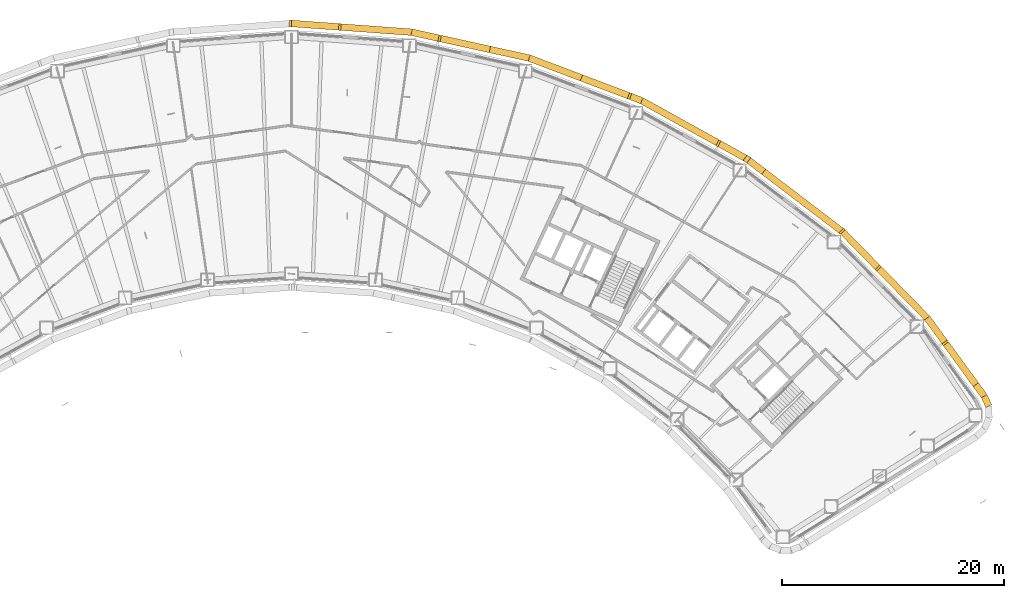
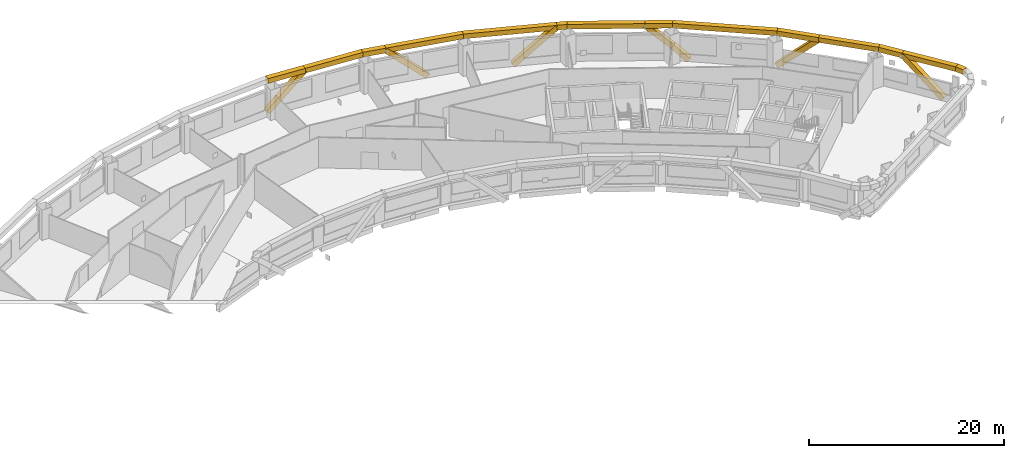
# One storey, part 18 of 19: 21 coverings.
"""IFC4 building model written with IfcOpenShell, lengths in metres."""

import ifcopenshell
import ifcopenshell.guid

model = None  # the IFC model being written
_history = None  # IfcOwnerHistory: only IFC2X3 demands one
_inside = {}  # id of a spatial element -> (the spatial element, [elements in it])
_under = {}  # id of a project, library or spatial element -> (it, [spatial elements below it])
_declared = {}  # id of a project -> (the project, [libraries it declares])
_typed = {}  # id of a type object -> (the type object, [elements of that type])
_made_of = {}  # id of a material, layer set ... -> (it, [elements and type objects made of it])


def new_model(schema):
    """Start an empty IFC model of exactly this schema.

    Asked for "IFC4X3", IfcOpenShell would pick the latest addendum, in which some entities
    have other attributes; the version numbers below select the first issue.
    IFC2X3 requires an IfcOwnerHistory on every rooted entity: one is made here for all.
    """
    global model, _history
    if schema == "IFC4X3":
        model = ifcopenshell.file(schema_version=(4, 3, 0, 0))
    else:
        model = ifcopenshell.file(schema=schema)
    _inside.clear()
    _under.clear()
    _declared.clear()
    _typed.clear()
    _made_of.clear()
    _history = None
    if model.schema == "IFC2X3":
        org = make("IfcOrganization", Name="unknown")
        user = make(
            "IfcPersonAndOrganization",
            ThePerson=make("IfcPerson", FamilyName="unknown"),
            TheOrganization=org,
        )
        app = make(
            "IfcApplication",
            ApplicationDeveloper=org,
            Version="unknown",
            ApplicationFullName="unknown",
            ApplicationIdentifier="unknown",
        )
        _history = make(
            "IfcOwnerHistory",
            OwningUser=user,
            OwningApplication=app,
            ChangeAction="ADDED",
            CreationDate=0,
        )
    return model


def make(cls, **values):
    """One entity of the class cls with the attributes given. An attribute that is None is left unset."""
    return model.create_entity(
        cls, **{name: value for name, value in values.items() if value is not None}
    )


def rooted(cls, **values):
    """An entity with a GlobalId (a new one), such as an element, a storey or a relation."""
    return make(cls, GlobalId=ifcopenshell.guid.new(), OwnerHistory=_history, **values)


def si_unit(unit_type, name, prefix=None):
    """IfcSIUnit, for example si_unit("LENGTHUNIT", "METRE", prefix="MILLI")."""
    return make("IfcSIUnit", UnitType=unit_type, Prefix=prefix, Name=name)


def assignment(units):
    """IfcUnitAssignment: the units of a project."""
    return None if units is None else make("IfcUnitAssignment", Units=units)


def point(xyz):
    """IfcCartesianPoint."""
    return None if xyz is None else make("IfcCartesianPoint", Coordinates=xyz)


def direction(xyz):
    """IfcDirection."""
    return None if xyz is None else make("IfcDirection", DirectionRatios=xyz)


def frame(location, z_axis=None, x_axis=None):
    """IfcAxis2Placement3D, a coordinate frame: its origin and axes. An axis left out is left unset."""
    return make(
        "IfcAxis2Placement3D",
        Location=point(location),
        Axis=direction(z_axis),
        RefDirection=direction(x_axis),
    )


def frame_2d(location, x_axis=None):
    """IfcAxis2Placement2D, a coordinate frame in the plane: its origin and x axis."""
    return make(
        "IfcAxis2Placement2D", Location=point(location), RefDirection=direction(x_axis)
    )


def origin():
    """The frame at (0, 0, 0) with its axes left unset."""
    return frame((0.0, 0.0, 0.0))


def origin_2d():
    """The frame at (0, 0) in the plane with its x axis left unset."""
    return frame_2d((0.0, 0.0))


def place(relative_to, where):
    """IfcLocalPlacement: puts the frame where relative to a parent placement (None: the world)."""
    return make(
        "IfcLocalPlacement", PlacementRelTo=relative_to, RelativePlacement=where
    )


def context(
    kind, dimensions, precision=None, world=None, true_north=None, identifier=None
):
    """IfcGeometricRepresentationContext, for example the 3D "Model" context."""
    return make(
        "IfcGeometricRepresentationContext",
        ContextIdentifier=identifier,
        ContextType=kind,
        CoordinateSpaceDimension=dimensions,
        Precision=precision,
        WorldCoordinateSystem=world,
        TrueNorth=true_north,
    )


def subcontext(parent, identifier, kind, view, scale=None):
    """IfcGeometricRepresentationSubContext, for example "Body" below "Model"."""
    return make(
        "IfcGeometricRepresentationSubContext",
        ContextIdentifier=identifier,
        ContextType=kind,
        ParentContext=parent,
        TargetScale=scale,
        TargetView=view,
    )


def project(units=None, contexts=None):
    """IfcProject with its units and contexts."""
    return rooted(
        "IfcProject",
        Name="project",
        RepresentationContexts=contexts,
        UnitsInContext=assignment(units),
    )


def spatial(cls, under=None, at=None, **own):
    """A site, building, storey or space (cls), placed at a placement, below another one or the project."""
    s = rooted(cls, ObjectPlacement=at, **own)
    if under is not None:
        _under.setdefault(under.id(), (under, []))[1].append(s)
    return s


def profile(cls, at=None, kind="AREA", **sizes):
    """A parametric profile (cls). Its sizes go by their IFC names, for example OverallWidth=200.0."""
    return make(cls, ProfileType=kind, Position=at, **sizes)


def rectangle(**sizes):
    """IfcRectangleProfileDef."""
    return profile("IfcRectangleProfileDef", **sizes)


def extrude(swept, where, along, depth):
    """IfcExtrudedAreaSolid: the profile swept, set in the frame where, extruded along a direction by depth."""
    return make(
        "IfcExtrudedAreaSolid",
        SweptArea=swept,
        Position=where,
        ExtrudedDirection=direction(along),
        Depth=depth,
    )


def shape(context_of_items, identifier, shape_type, items):
    """IfcShapeRepresentation: the items that make up one representation, for example the "Body"."""
    return make(
        "IfcShapeRepresentation",
        ContextOfItems=context_of_items,
        RepresentationIdentifier=identifier,
        RepresentationType=shape_type,
        Items=items,
    )


def material(Name=None, Category=None):
    """IfcMaterial."""
    return make("IfcMaterial", Name=Name, Category=Category)


def material_profile(
    of_material, cross_section, Name=None, Category=None, Priority=None
):
    """IfcMaterialProfile: a cross section and its material."""
    return make(
        "IfcMaterialProfile",
        Name=Name,
        Material=of_material,
        Profile=cross_section,
        Priority=Priority,
        Category=Category,
    )


def profile_set(profiles, Name=None, composite=None):
    """IfcMaterialProfileSet."""
    return make(
        "IfcMaterialProfileSet",
        Name=Name,
        MaterialProfiles=profiles,
        CompositeProfile=composite,
    )


def made_of(thing, what):
    """Note that an element or type object is made of a material, layer set ...; save() writes the relation."""
    if what is not None:
        _made_of.setdefault(what.id(), (what, []))[1].append(thing)
    return thing


def type_object(cls, material=None, **own):
    """A type object (cls), such as IfcWallType, which elements share."""
    return made_of(rooted(cls, **own), material)


def element(
    cls,
    number,
    at=None,
    inside=None,
    cuts=None,
    type_object=None,
    material=None,
    context=None,
    identifier="Body",
    shape_type=None,
    held_by="IfcProductDefinitionShape",
    body=None,
    shapes=None,
    **own,
):
    """One element of the class cls, such as IfcWall. Its Tag is "e" and its number.

    at: its placement. inside: the storey or other place that contains it. cuts: it is an
    opening in that element (IfcRelVoidsElement). A single representation is given by context,
    identifier, shape_type and body (its items); several are given by shapes. held_by: the class
    of the entity that holds the representations. save() writes the other relations.
    """
    e = rooted(cls, Tag="e%d" % number, ObjectPlacement=at, **own)
    if body is not None:
        shapes = [shape(context, identifier, shape_type, body)]
    if shapes is not None:
        e.Representation = make(held_by, Representations=shapes)
    if inside is not None:
        _inside.setdefault(inside.id(), (inside, []))[1].append(e)
    if cuts is not None:
        rooted(
            "IfcRelVoidsElement", RelatingBuildingElement=cuts, RelatedOpeningElement=e
        )
    if type_object is not None:
        _typed.setdefault(type_object.id(), (type_object, []))[1].append(e)
    return made_of(e, material)


def aggregate(whole, parts):
    """IfcRelAggregates: a whole, such as a stair, and the parts it consists of."""
    return rooted("IfcRelAggregates", RelatingObject=whole, RelatedObjects=parts)


def save(model, path):
    """Write the relations noted so far, then the file.

    IfcRelAggregates (storeys below a building ...), IfcRelContainedInSpatialStructure (elements
    in a storey), IfcRelDefinesByType, IfcRelAssociatesMaterial and IfcRelDeclares: one each for
    every whole, place, type object, material and project.
    """
    for whole, parts in _under.values():
        aggregate(whole, parts)
    for where, things in _inside.values():
        rooted(
            "IfcRelContainedInSpatialStructure",
            RelatedElements=things,
            RelatingStructure=where,
        )
    for kind, things in _typed.values():
        rooted("IfcRelDefinesByType", RelatedObjects=things, RelatingType=kind)
    for what, things in _made_of.values():
        rooted("IfcRelAssociatesMaterial", RelatedObjects=things, RelatingMaterial=what)
    for by, libraries in _declared.values():
        rooted("IfcRelDeclares", RelatingContext=by, RelatedDefinitions=libraries)
    model.write(path)


model = new_model("IFC4")

# Units and contexts
model_context = context("Model", 3, precision=1e-05, world=origin(), true_north=direction((0.0, 1.0)))
body_context = subcontext(model_context, "Body", "Model", "MODEL_VIEW")
ifc_project = project(units=[si_unit("LENGTHUNIT", "METRE"), si_unit("AREAUNIT", "SQUARE_METRE"), si_unit("VOLUMEUNIT", "CUBIC_METRE"), si_unit("PLANEANGLEUNIT", "RADIAN"), si_unit("MASSUNIT", "GRAM", prefix="KILO")], contexts=[model_context])

# Site, building, storey
site_placement = place(None, origin())
site = spatial("IfcSite", under=ifc_project, at=site_placement, CompositionType="ELEMENT")
building_placement = place(site_placement, origin())
building = spatial("IfcBuilding", under=site, at=building_placement, Name="Tuul Gate Civic Tower", CompositionType="ELEMENT")
storey_placement = place(building_placement, frame((0.0, 0.0, 90.60009765625)))
storey = spatial("IfcBuildingStorey", under=building, at=storey_placement, Name="Level 20", CompositionType="ELEMENT", Elevation=90.60009765625)

# Coverings
ifc_material = material(Name="Terracotta baguette", Category="masonry")
ifc_material_profile = material_profile(ifc_material, rectangle(XDim=0.60009765625, YDim=0.60009765625, at=origin_2d()), Name="Terracotta baguette screen frame")
ifc_profile_set = profile_set([ifc_material_profile], Name="Terracotta baguette")
covering_type = type_object("IfcCoveringType", Name="Terracotta baguette screen frame", PredefinedType="CLADDING", material=ifc_profile_set)
covering_1_placement = place(storey_placement, frame((66.368408203125, -12.477783203125, -0.35009765625), z_axis=(-0.43381273789, 0.593947335463, 0.677519793911), x_axis=(-0.807537279361, -0.589816532866, 0.0)))
element("IfcCovering", 1, at=covering_1_placement, inside=storey, type_object=covering_type, Name="Baguette 20", PredefinedType="CLADDING", context=body_context, shape_type="SweptSolid", body=[
    extrude(rectangle(XDim=0.60009765625, YDim=0.60009765625, at=origin_2d()), origin(), (0.0, 0.0, 1.0), 6.198974609375),
])
covering_2_placement = place(storey_placement, frame((63.67919921875, -8.7958984375, 3.849853515625), z_axis=(-0.589870466204, 0.80749788427, 0.0), x_axis=(-0.80749788427, -0.589870466204, 0.0)))
element("IfcCovering", 2, at=covering_2_placement, inside=storey, type_object=covering_type, Name="Baguette 25", PredefinedType="CLADDING", context=body_context, shape_type="SweptSolid", body=[
    extrude(rectangle(XDim=0.60009765625, YDim=0.60009765625, at=origin_2d()), origin(), (0.0, 0.0, 1.0), 2.68115234375),
])
covering_3_placement = place(storey_placement, frame((62.09765625, -6.630859375, 3.849853515625), z_axis=(-0.700019961155, 0.714123276462, 0.0), x_axis=(-0.714123276462, -0.700019961155, 0.0)))
element("IfcCovering", 3, at=covering_3_placement, inside=storey, type_object=covering_type, Name="Baguette 26", PredefinedType="CLADDING", context=body_context, shape_type="SweptSolid", body=[
    extrude(rectangle(XDim=0.60009765625, YDim=0.60009765625, at=origin_2d()), origin(), (0.0, 0.0, 1.0), 6.405029296875),
])
covering_4_placement = place(storey_placement, frame((57.614013671875, -2.056884765625, 3.849853515625), z_axis=(-0.513669566471, 0.523984863696, -0.679399322268), x_axis=(-0.714100828426, -0.700042860718, 0.0)))
element("IfcCovering", 4, at=covering_4_placement, inside=storey, type_object=covering_type, Name="Baguette 29", PredefinedType="CLADDING", context=body_context, shape_type="SweptSolid", body=[
    extrude(rectangle(XDim=0.60009765625, YDim=0.60009765625, at=origin_2d()), origin(), (0.0, 0.0, 1.0), 6.05908203125),
])
covering_5_placement = place(storey_placement, frame((47.211669921875, 6.668701171875, -0.35009765625), z_axis=(-0.583807946983, 0.44451304704, 0.679394165452), x_axis=(-0.605790532559, -0.795624176771, 0.0)))
element("IfcCovering", 5, at=covering_5_placement, inside=storey, type_object=covering_type, Name="Baguette 43", PredefinedType="CLADDING", context=body_context, shape_type="SweptSolid", body=[
    extrude(rectangle(XDim=0.60009765625, YDim=0.60009765625, at=origin_2d()), origin(), (0.0, 0.0, 1.0), 2.30126953125),
])
covering_6_placement = place(storey_placement, frame((45.8681640625, 7.691650390625, 1.21337890625), z_axis=(-0.641765503901, 0.355767466382, 0.67938689115), x_axis=(-0.484841977451, -0.874601770465, 0.0)))
element("IfcCovering", 6, at=covering_6_placement, inside=storey, type_object=covering_type, Name="Baguette 44", PredefinedType="CLADDING", context=body_context, shape_type="SweptSolid", body=[
    extrude(rectangle(XDim=0.60009765625, YDim=0.60009765625, at=origin_2d()), origin(), (0.0, 0.0, 1.0), 3.880615234375),
])
covering_7_placement = place(storey_placement, frame((43.377685546875, 9.072265625, 3.849853515625), z_axis=(-0.874607295517, 0.484832010731, 0.0), x_axis=(-0.484832010731, -0.874607295517, 0.0)))
element("IfcCovering", 7, at=covering_7_placement, inside=storey, type_object=covering_type, Name="Baguette 49", PredefinedType="CLADDING", context=body_context, shape_type="SweptSolid", body=[
    extrude(rectangle(XDim=0.60009765625, YDim=0.60009765625, at=origin_2d()), origin(), (0.0, 0.0, 1.0), 8.0029296875),
])
covering_8_placement = place(storey_placement, frame((36.378173828125, 12.952392578125, 3.849853515625), z_axis=(-0.935406677507, 0.353573680688, 0.0), x_axis=(-0.353573680688, -0.935406677507, 0.0)))
element("IfcCovering", 8, at=covering_8_placement, inside=storey, type_object=covering_type, Name="Baguette 50", PredefinedType="CLADDING", context=body_context, shape_type="SweptSolid", body=[
    extrude(rectangle(XDim=0.60009765625, YDim=0.60009765625, at=origin_2d()), origin(), (0.0, 0.0, 1.0), 1.069580078125),
])
for number, where, z_axis, x_axis, name in (
    (9, (35.377685546875, 13.33056640625, 3.849853515625), (-0.686313491254, 0.259589053862, -0.679402174591), (-0.353776298619, -0.935330065023, 0.0), "Baguette 52"),
    (10, (22.4912109375, 17.6142578125, -0.35009765625), (-0.716585909211, 0.157929294623, 0.679384259915), (-0.215226248943, -0.976564212823, 0.0), "Baguette 62"),
):
    element("IfcCovering", number, at=place(storey_placement, frame(where, z_axis=z_axis, x_axis=x_axis)), inside=storey, type_object=covering_type, Name=name, PredefinedType="CLADDING", context=body_context, shape_type="SweptSolid", body=[
        extrude(rectangle(XDim=0.60009765625, YDim=0.60009765625, at=origin_2d()), origin(), (0.0, 0.0, 1.0), 6.181884765625),
    ])
covering_9_placement = place(storey_placement, frame((18.061279296875, 18.590576171875, 3.849853515625), z_axis=(-0.976555025342, 0.21526793184, 0.0), x_axis=(-0.21526793184, -0.976555025342, 0.0)))
element("IfcCovering", 11, at=covering_9_placement, inside=storey, type_object=covering_type, Name="Baguette 67", PredefinedType="CLADDING", context=body_context, shape_type="SweptSolid", body=[
    extrude(rectangle(XDim=0.60009765625, YDim=0.60009765625, at=origin_2d()), origin(), (0.0, 0.0, 1.0), 2.48828125),
])
covering_10_placement = place(storey_placement, frame((15.63134765625, 19.126220703125, 3.849853515625), z_axis=(-0.997387816704, 0.07223256253, 0.0), x_axis=(-0.07223256253, -0.997387816704, 0.0)))
element("IfcCovering", 12, at=covering_10_placement, inside=storey, type_object=covering_type, Name="Baguette 68", PredefinedType="CLADDING", context=body_context, shape_type="SweptSolid", body=[
    extrude(rectangle(XDim=0.60009765625, YDim=0.60009765625, at=origin_2d()), origin(), (0.0, 0.0, 1.0), 6.583984375),
])
covering_11_placement = place(storey_placement, frame((9.064453125, 19.601806640625, 3.849853515625), z_axis=(-0.731863102792, 0.05297758608, -0.67938926555), x_axis=(-0.072198379496, -0.99739029171, 0.0)))
element("IfcCovering", 13, at=covering_11_placement, inside=storey, type_object=covering_type, Name="Baguette 71", PredefinedType="CLADDING", context=body_context, shape_type="SweptSolid", body=[
    extrude(rectangle(XDim=0.60009765625, YDim=0.60009765625, at=origin_2d()), origin(), (0.0, 0.0, 1.0), 5.815673828125),
])
covering_12_placement = place(storey_placement, frame((57.614013671875, -2.056884765625, 3.849853515625), z_axis=(-0.700042860718, 0.714100828426, 0.0), x_axis=(-0.714100828426, -0.700042860718, 0.0)))
element("IfcCovering", 14, at=covering_12_placement, inside=storey, type_object=covering_type, Name="Baguette 409", PredefinedType="CLADDING", context=body_context, shape_type="SweptSolid", body=[
    extrude(rectangle(XDim=0.60009765625, YDim=0.60009765625, at=origin_2d()), origin(), (0.0, 0.0, 1.0), 4.44580078125),
])
covering_13_placement = place(storey_placement, frame((54.501708984375, 1.117919921875, 3.849853515625), z_axis=(-0.795618643442, 0.605797799771, 0.0), x_axis=(-0.605797799771, -0.795618643442, 0.0)))
element("IfcCovering", 15, at=covering_13_placement, inside=storey, type_object=covering_type, Name="Baguette 410", PredefinedType="CLADDING", context=body_context, shape_type="SweptSolid", body=[
    extrude(rectangle(XDim=0.60009765625, YDim=0.60009765625, at=origin_2d()), origin(), (0.0, 0.0, 1.0), 10.851318359375),
])
covering_14_placement = place(storey_placement, frame((45.8681640625, 7.691650390625, 3.849853515625), z_axis=(-0.874601770465, 0.484841977451, 0.0), x_axis=(-0.484841977451, -0.874601770465, 0.0)))
element("IfcCovering", 16, at=covering_14_placement, inside=storey, type_object=covering_type, Name="Baguette 411", PredefinedType="CLADDING", context=body_context, shape_type="SweptSolid", body=[
    extrude(rectangle(XDim=0.60009765625, YDim=0.60009765625, at=origin_2d()), origin(), (0.0, 0.0, 1.0), 2.84765625),
])
covering_15_placement = place(storey_placement, frame((35.377685546875, 13.33056640625, 3.849853515625), z_axis=(-0.935341841687, 0.353745161367, 0.0), x_axis=(-0.353745161367, -0.935341841687, 0.0)))
element("IfcCovering", 17, at=covering_15_placement, inside=storey, type_object=covering_type, Name="Baguette 412", PredefinedType="CLADDING", context=body_context, shape_type="SweptSolid", body=[
    extrude(rectangle(XDim=0.60009765625, YDim=0.60009765625, at=origin_2d()), origin(), (0.0, 0.0, 1.0), 9.78173828125),
])
covering_16_placement = place(storey_placement, frame((26.228515625, 16.790771484375, 3.849853515625), z_axis=(-0.97656881378, 0.215205371572, 0.0), x_axis=(-0.215205371572, -0.97656881378, 0.0)))
element("IfcCovering", 18, at=covering_16_placement, inside=storey, type_object=covering_type, Name="Baguette 413", PredefinedType="CLADDING", context=body_context, shape_type="SweptSolid", body=[
    extrude(rectangle(XDim=0.60009765625, YDim=0.60009765625, at=origin_2d()), origin(), (0.0, 0.0, 1.0), 8.36328125),
])
covering_17_placement = place(storey_placement, frame((9.064453125, 19.601806640625, 3.849853515625), z_axis=(-0.99739029171, 0.072198379496, 0.0), x_axis=(-0.072198379496, -0.99739029171, 0.0)))
element("IfcCovering", 19, at=covering_17_placement, inside=storey, type_object=covering_type, Name="Baguette 414", PredefinedType="CLADDING", context=body_context, shape_type="SweptSolid", body=[
    extrude(rectangle(XDim=0.60009765625, YDim=0.60009765625, at=origin_2d()), origin(), (0.0, 0.0, 1.0), 4.267578125),
])
covering_18_placement = place(storey_placement, frame((67.65771484375, -14.5849609375, 3.849853515625), z_axis=(-0.412573349968, 0.910924382644, 0.0), x_axis=(-0.910924382644, -0.412573349968, 0.0)))
element("IfcCovering", 20, at=covering_18_placement, inside=storey, type_object=covering_type, Name="Baguette 445", PredefinedType="CLADDING", context=body_context, shape_type="SweptSolid", body=[
    extrude(rectangle(XDim=0.60009765625, YDim=0.60009765625, at=origin_2d()), origin(), (0.0, 0.0, 1.0), 0.987548828125),
])
covering_19_placement = place(storey_placement, frame((67.250244140625, -13.685302734375, 3.849853515625), z_axis=(-0.58980325004, 0.807546980827, 0.0), x_axis=(-0.807546980827, -0.58980325004, 0.0)))
element("IfcCovering", 21, at=covering_19_placement, inside=storey, type_object=covering_type, Name="Baguette 446", PredefinedType="CLADDING", context=body_context, shape_type="SweptSolid", body=[
    extrude(rectangle(XDim=0.60009765625, YDim=0.60009765625, at=origin_2d()), origin(), (0.0, 0.0, 1.0), 6.0546875),
])

save(model, "model.ifc")
